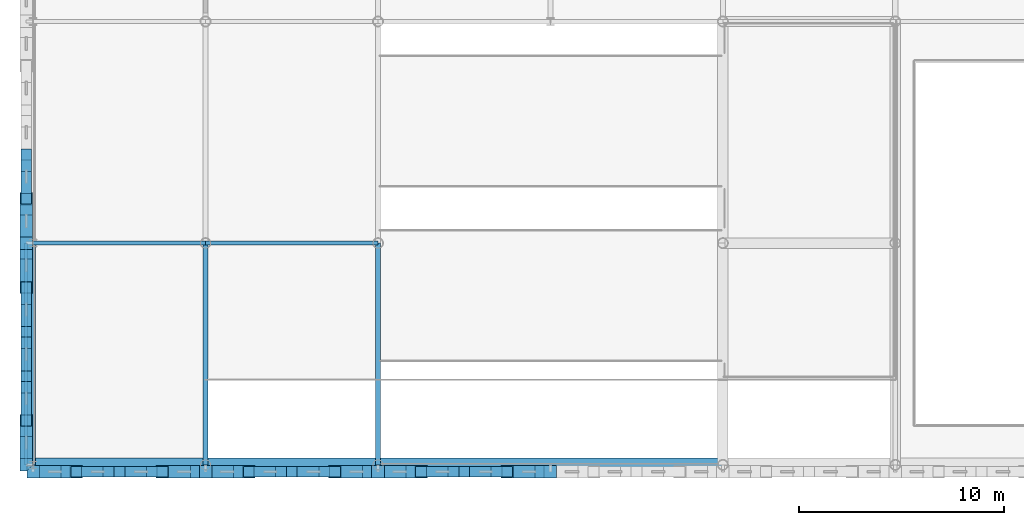
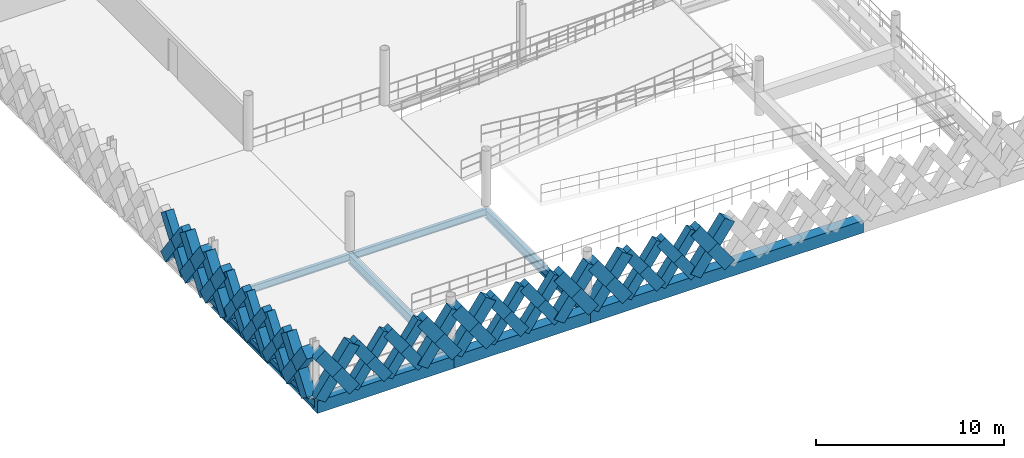
# One storey, part 17 of 74: 58 members, 8 beams.
"""IFC4 building model written with IfcOpenShell, lengths in metres."""

from ifc_helpers import new_model, si_unit, direction, frame, origin, origin_2d, place, context, subcontext, project, spatial, rectangle, hollow_rectangle, i_section, extrude, material, material_profile, profile_set, type_object, element, save


model = new_model("IFC4")

# Units and contexts
model_context = context("Model", 3, precision=1e-05, world=origin(), true_north=direction((0.0, 1.0)))
body_context = subcontext(model_context, "Body", "Model", "MODEL_VIEW")
ifc_project = project(units=[si_unit("LENGTHUNIT", "METRE"), si_unit("AREAUNIT", "SQUARE_METRE"), si_unit("VOLUMEUNIT", "CUBIC_METRE"), si_unit("PLANEANGLEUNIT", "RADIAN"), si_unit("MASSUNIT", "GRAM", prefix="KILO"), si_unit("THERMODYNAMICTEMPERATUREUNIT", "KELVIN"), si_unit("POWERUNIT", "WATT")], contexts=[model_context])

# Site, building, storey
site_placement = place(None, origin())
site = spatial("IfcSite", under=ifc_project, at=site_placement, CompositionType="ELEMENT")
building_placement = place(site_placement, origin())
building = spatial("IfcBuilding", under=site, at=building_placement, Name="Tembeka Court Mobility Hub", CompositionType="ELEMENT")
storey_placement = place(building_placement, frame((0.0, 0.0, 12.60009765625)))
storey = spatial("IfcBuildingStorey", under=building, at=storey_placement, Name="L03", CompositionType="ELEMENT", Elevation=12.60009765625)

# Beams
ifc_material_1 = material(Name="Steel S355", Category="steel")
ifc_material_profile_1 = material_profile(ifc_material_1, i_section(OverallWidth=0.18994140625, OverallDepth=0.45703125, WebThickness=0.009033203125, FlangeThickness=0.014404296875, FilletRadius=0.01025390625, at=origin_2d()), Name="UKB 457x191x74")
ifc_profile_set_1 = profile_set([ifc_material_profile_1], Name="Steel S355")
beam_type_1 = type_object("IfcBeamType", Name="BM-B01", PredefinedType="BEAM", material=ifc_profile_set_1)
beam_1_placement = place(storey_placement, frame((0.0, 10.800048828125, -0.478515625), z_axis=(1.0, 0.0, 0.0), x_axis=(0.0, 1.0, 0.0)))
element("IfcBeam", 1, at=beam_1_placement, inside=storey, type_object=beam_type_1, Name="Beam B01 (BM-L03-X1696)", PredefinedType="BEAM", context=body_context, shape_type="SweptSolid", body=[
    extrude(i_section(OverallWidth=0.18994140625, OverallDepth=0.45703125, WebThickness=0.009033203125, FlangeThickness=0.014404296875, FilletRadius=0.01025390625, at=origin_2d()), origin(), (0.0, 0.0, 1.0), 8.39990234375),
])
beam_2_placement = place(storey_placement, frame((8.39990234375, 10.800048828125, -0.478515625), z_axis=(1.0, 0.0, 0.0), x_axis=(0.0, 1.0, 0.0)))
element("IfcBeam", 2, at=beam_2_placement, inside=storey, type_object=beam_type_1, Name="Beam B01 (BM-L03-X1697)", PredefinedType="BEAM", context=body_context, shape_type="SweptSolid", body=[
    extrude(i_section(OverallWidth=0.18994140625, OverallDepth=0.45703125, WebThickness=0.009033203125, FlangeThickness=0.014404296875, FilletRadius=0.01025390625, at=origin_2d()), origin(), (0.0, 0.0, 1.0), 8.400146484375),
])
ifc_material_profile_2 = material_profile(ifc_material_1, i_section(OverallWidth=0.22900390625, OverallDepth=0.612060546875, WebThickness=0.011962890625, FlangeThickness=0.01953125, FilletRadius=0.0126953125, at=origin_2d()), Name="UKB 610x229x125")
ifc_profile_set_2 = profile_set([ifc_material_profile_2], Name="Steel S355")
beam_type_2 = type_object("IfcBeamType", Name="BM-G02", PredefinedType="USERDEFINED", material=ifc_profile_set_2)
for number, where, z_axis, x_axis, name in (
    (3, (0.0, 0.0, -0.526123046875), (0.0, 1.0, 0.0), (-1.0, 0.0, 0.0), "Beam G02 (BM-L03-Y1816)"),
    (4, (8.39990234375, 0.0, -0.55615234375), (0.0, 1.0, 0.0), (-1.0, 0.0, 0.0), "Beam G02 (BM-L03-Y1827)"),
    (5, (16.800048828125, 0.0, -0.55615234375), (0.0, 1.0, 0.0), (-1.0, 0.0, 0.0), "Beam G02 (BM-L03-Y1838)"),
):
    element("IfcBeam", number, at=place(storey_placement, frame(where, z_axis=z_axis, x_axis=x_axis)), inside=storey, type_object=beam_type_2, Name=name, ObjectType="GIRDER", PredefinedType="USERDEFINED", context=body_context, shape_type="SweptSolid", body=[
        extrude(i_section(OverallWidth=0.22900390625, OverallDepth=0.612060546875, WebThickness=0.011962890625, FlangeThickness=0.01953125, FilletRadius=0.0126953125, at=origin_2d()), origin(), (0.0, 0.0, 1.0), 10.800048828125),
    ])
ifc_material_2 = material(Name="Precast concrete C45/55", Category="concrete")
ifc_material_profile_3 = material_profile(ifc_material_2, rectangle(XDim=0.64990234375, YDim=0.800048828125, at=origin_2d()), Name="PC-SP 650x800")
ifc_profile_set_3 = profile_set([ifc_material_profile_3], Name="Precast concrete C45/55")
beam_type_3 = type_object("IfcBeamType", Name="BM-SP01", PredefinedType="SPANDREL", material=ifc_profile_set_3)
beam_3_placement = place(storey_placement, frame((0.0, 0.0, -0.6201171875), z_axis=(1.0, 0.0, 0.0), x_axis=(0.0, 1.0, 0.0)))
element("IfcBeam", 6, at=beam_3_placement, inside=storey, type_object=beam_type_3, Name="Beam SP01 (BM-L03-X1682)", PredefinedType="SPANDREL", context=body_context, shape_type="SweptSolid", body=[
    extrude(rectangle(XDim=0.64990234375, YDim=0.800048828125, at=origin_2d()), origin(), (0.0, 0.0, 1.0), 8.39990234375),
])
beam_4_placement = place(storey_placement, frame((8.39990234375, 0.0, -0.6201171875), z_axis=(1.0, 0.0, 0.0), x_axis=(0.0, 1.0, 0.0)))
element("IfcBeam", 7, at=beam_4_placement, inside=storey, type_object=beam_type_3, Name="Beam SP01 (BM-L03-X1683)", PredefinedType="SPANDREL", context=body_context, shape_type="SweptSolid", body=[
    extrude(rectangle(XDim=0.64990234375, YDim=0.800048828125, at=origin_2d()), origin(), (0.0, 0.0, 1.0), 8.400146484375),
])
beam_5_placement = place(storey_placement, frame((16.800048828125, 0.0, -0.6201171875), z_axis=(1.0, 0.0, 0.0), x_axis=(0.0, 1.0, 0.0)))
element("IfcBeam", 8, at=beam_5_placement, inside=storey, type_object=beam_type_3, Name="Beam SP01 (BM-L03-X1684)", PredefinedType="SPANDREL", context=body_context, shape_type="SweptSolid", body=[
    extrude(rectangle(XDim=0.64990234375, YDim=0.800048828125, at=origin_2d()), origin(), (0.0, 0.0, 1.0), 16.800048828125),
])

# Members
ifc_material_profile_4 = material_profile(ifc_material_2, rectangle(XDim=0.5, YDim=0.64990234375, at=origin_2d()), Name="PC-DIAG 500x650")
ifc_profile_set_4 = profile_set([ifc_material_profile_4], Name="Precast concrete C45/55")
member_type_1 = type_object("IfcMemberType", Name="MEM-DL01", PredefinedType="BRACE", material=ifc_profile_set_4)
member_1_placement = place(storey_placement, frame((2.10009765625, -0.340087890625, 0.02001953125), z_axis=(0.58253161945, 0.0, 0.812808041509), x_axis=(0.0, 1.0, 0.0)))
element("IfcMember", 9, at=member_1_placement, inside=storey, type_object=member_type_1, Name="Precast diamond lattice continuous strand DL01 (L03-390A)", PredefinedType="BRACE", context=body_context, shape_type="SweptSolid", body=[
    extrude(rectangle(XDim=0.5, YDim=0.64990234375, at=origin_2d()), origin(), (0.0, 0.0, 1.0), 3.604736328125),
])
member_2_placement = place(storey_placement, frame((4.199951171875, -0.340087890625, 0.02001953125), z_axis=(-0.582608431711, 0.0, 0.812752985414), x_axis=(0.0, -1.0, 0.0)))
element("IfcMember", 10, at=member_2_placement, inside=storey, type_object=member_type_1, Name="Precast diamond lattice split lower strand DL01 (L03-390B1)", PredefinedType="BRACE", context=body_context, shape_type="SweptSolid", body=[
    extrude(rectangle(XDim=0.5, YDim=0.64990234375, at=origin_2d()), origin(), (0.0, 0.0, 1.0), 1.80224609375),
])
member_3_placement = place(storey_placement, frame((3.14990234375, -0.340087890625, 1.48486328125), z_axis=(-0.582454804382, 0.0, 0.812863088627), x_axis=(0.0, -1.0, 0.0)))
element("IfcMember", 11, at=member_3_placement, inside=storey, type_object=member_type_1, Name="Precast diamond lattice split upper strand DL01 (L03-390B2)", PredefinedType="BRACE", context=body_context, shape_type="SweptSolid", body=[
    extrude(rectangle(XDim=0.5, YDim=0.64990234375, at=origin_2d()), origin(), (0.0, 0.0, 1.0), 1.802490234375),
])
member_4_placement = place(storey_placement, frame((4.199951171875, -0.340087890625, 0.02001953125), z_axis=(0.582576362011, 0.0, 0.812775973086), x_axis=(0.0, 1.0, 0.0)))
element("IfcMember", 12, at=member_4_placement, inside=storey, type_object=member_type_1, Name="Precast diamond lattice continuous strand DL01 (L03-391A)", PredefinedType="BRACE", context=body_context, shape_type="SweptSolid", body=[
    extrude(rectangle(XDim=0.5, YDim=0.64990234375, at=origin_2d()), origin(), (0.0, 0.0, 1.0), 3.604736328125),
])
member_5_placement = place(storey_placement, frame((6.300048828125, -0.340087890625, 0.02001953125), z_axis=(-0.582608431711, 0.0, 0.812752985414), x_axis=(0.0, -1.0, 0.0)))
element("IfcMember", 13, at=member_5_placement, inside=storey, type_object=member_type_1, Name="Precast diamond lattice split lower strand DL01 (L03-391B1)", PredefinedType="BRACE", context=body_context, shape_type="SweptSolid", body=[
    extrude(rectangle(XDim=0.5, YDim=0.64990234375, at=origin_2d()), origin(), (0.0, 0.0, 1.0), 1.80224609375),
])
member_6_placement = place(storey_placement, frame((5.25, -0.340087890625, 1.48486328125), z_axis=(-0.582544294934, 0.0, 0.812798956963), x_axis=(0.0, -1.0, 0.0)))
element("IfcMember", 14, at=member_6_placement, inside=storey, type_object=member_type_1, Name="Precast diamond lattice split upper strand DL01 (L03-391B2)", PredefinedType="BRACE", context=body_context, shape_type="SweptSolid", body=[
    extrude(rectangle(XDim=0.5, YDim=0.64990234375, at=origin_2d()), origin(), (0.0, 0.0, 1.0), 1.802490234375),
])
member_7_placement = place(storey_placement, frame((10.5, -0.340087890625, 0.02001953125), z_axis=(0.582576362011, 0.0, 0.812775973086), x_axis=(0.0, 1.0, 0.0)))
element("IfcMember", 15, at=member_7_placement, inside=storey, type_object=member_type_1, Name="Precast diamond lattice continuous strand DL01 (L03-394A)", PredefinedType="BRACE", context=body_context, shape_type="SweptSolid", body=[
    extrude(rectangle(XDim=0.5, YDim=0.64990234375, at=origin_2d()), origin(), (0.0, 0.0, 1.0), 3.604736328125),
])
member_8_placement = place(storey_placement, frame((12.60009765625, -0.340087890625, 0.02001953125), z_axis=(-0.582608431711, 0.0, 0.812752985414), x_axis=(0.0, -1.0, 0.0)))
element("IfcMember", 16, at=member_8_placement, inside=storey, type_object=member_type_1, Name="Precast diamond lattice split lower strand DL01 (L03-394B1)", PredefinedType="BRACE", context=body_context, shape_type="SweptSolid", body=[
    extrude(rectangle(XDim=0.5, YDim=0.64990234375, at=origin_2d()), origin(), (0.0, 0.0, 1.0), 1.80224609375),
])
member_9_placement = place(storey_placement, frame((11.550048828125, -0.340087890625, 1.48486328125), z_axis=(-0.582544294934, 0.0, 0.812798956963), x_axis=(0.0, -1.0, 0.0)))
element("IfcMember", 17, at=member_9_placement, inside=storey, type_object=member_type_1, Name="Precast diamond lattice split upper strand DL01 (L03-394B2)", PredefinedType="BRACE", context=body_context, shape_type="SweptSolid", body=[
    extrude(rectangle(XDim=0.5, YDim=0.64990234375, at=origin_2d()), origin(), (0.0, 0.0, 1.0), 1.802490234375),
])
member_10_placement = place(storey_placement, frame((12.60009765625, -0.340087890625, 0.02001953125), z_axis=(0.58253161945, 0.0, 0.812808041509), x_axis=(0.0, 1.0, 0.0)))
element("IfcMember", 18, at=member_10_placement, inside=storey, type_object=member_type_1, Name="Precast diamond lattice continuous strand DL01 (L03-395A)", PredefinedType="BRACE", context=body_context, shape_type="SweptSolid", body=[
    extrude(rectangle(XDim=0.5, YDim=0.64990234375, at=origin_2d()), origin(), (0.0, 0.0, 1.0), 3.604736328125),
])
member_11_placement = place(storey_placement, frame((14.699951171875, -0.340087890625, 0.02001953125), z_axis=(-0.582608431711, 0.0, 0.812752985414), x_axis=(0.0, -1.0, 0.0)))
element("IfcMember", 19, at=member_11_placement, inside=storey, type_object=member_type_1, Name="Precast diamond lattice split lower strand DL01 (L03-395B1)", PredefinedType="BRACE", context=body_context, shape_type="SweptSolid", body=[
    extrude(rectangle(XDim=0.5, YDim=0.64990234375, at=origin_2d()), origin(), (0.0, 0.0, 1.0), 1.80224609375),
])
member_12_placement = place(storey_placement, frame((13.64990234375, -0.340087890625, 1.48486328125), z_axis=(-0.582454804382, 0.0, 0.812863088627), x_axis=(0.0, -1.0, 0.0)))
element("IfcMember", 20, at=member_12_placement, inside=storey, type_object=member_type_1, Name="Precast diamond lattice split upper strand DL01 (L03-395B2)", PredefinedType="BRACE", context=body_context, shape_type="SweptSolid", body=[
    extrude(rectangle(XDim=0.5, YDim=0.64990234375, at=origin_2d()), origin(), (0.0, 0.0, 1.0), 1.802490234375),
])
member_13_placement = place(storey_placement, frame((18.89990234375, -0.340087890625, 0.02001953125), z_axis=(0.582576362011, 0.0, 0.812775973086), x_axis=(0.0, 1.0, 0.0)))
element("IfcMember", 21, at=member_13_placement, inside=storey, type_object=member_type_1, Name="Precast diamond lattice continuous strand DL01 (L03-398A)", PredefinedType="BRACE", context=body_context, shape_type="SweptSolid", body=[
    extrude(rectangle(XDim=0.5, YDim=0.64990234375, at=origin_2d()), origin(), (0.0, 0.0, 1.0), 3.604736328125),
])
member_14_placement = place(storey_placement, frame((21.0, -0.340087890625, 0.02001953125), z_axis=(-0.582608431711, 0.0, 0.812752985414), x_axis=(0.0, -1.0, 0.0)))
element("IfcMember", 22, at=member_14_placement, inside=storey, type_object=member_type_1, Name="Precast diamond lattice split lower strand DL01 (L03-398B1)", PredefinedType="BRACE", context=body_context, shape_type="SweptSolid", body=[
    extrude(rectangle(XDim=0.5, YDim=0.64990234375, at=origin_2d()), origin(), (0.0, 0.0, 1.0), 1.80224609375),
])
member_15_placement = place(storey_placement, frame((19.949951171875, -0.340087890625, 1.48486328125), z_axis=(-0.582544294934, 0.0, 0.812798956963), x_axis=(0.0, -1.0, 0.0)))
element("IfcMember", 23, at=member_15_placement, inside=storey, type_object=member_type_1, Name="Precast diamond lattice split upper strand DL01 (L03-398B2)", PredefinedType="BRACE", context=body_context, shape_type="SweptSolid", body=[
    extrude(rectangle(XDim=0.5, YDim=0.64990234375, at=origin_2d()), origin(), (0.0, 0.0, 1.0), 1.802490234375),
])
member_16_placement = place(storey_placement, frame((21.0, -0.340087890625, 0.02001953125), z_axis=(0.582576362011, 0.0, 0.812775973086), x_axis=(0.0, 1.0, 0.0)))
element("IfcMember", 24, at=member_16_placement, inside=storey, type_object=member_type_1, Name="Precast diamond lattice continuous strand DL01 (L03-399A)", PredefinedType="BRACE", context=body_context, shape_type="SweptSolid", body=[
    extrude(rectangle(XDim=0.5, YDim=0.64990234375, at=origin_2d()), origin(), (0.0, 0.0, 1.0), 3.604736328125),
])
member_17_placement = place(storey_placement, frame((23.10009765625, -0.340087890625, 0.02001953125), z_axis=(-0.582608431711, 0.0, 0.812752985414), x_axis=(0.0, -1.0, 0.0)))
element("IfcMember", 25, at=member_17_placement, inside=storey, type_object=member_type_1, Name="Precast diamond lattice split lower strand DL01 (L03-399B1)", PredefinedType="BRACE", context=body_context, shape_type="SweptSolid", body=[
    extrude(rectangle(XDim=0.5, YDim=0.64990234375, at=origin_2d()), origin(), (0.0, 0.0, 1.0), 1.80224609375),
])
member_18_placement = place(storey_placement, frame((22.050048828125, -0.340087890625, 1.48486328125), z_axis=(-0.582544294934, 0.0, 0.812798956963), x_axis=(0.0, -1.0, 0.0)))
element("IfcMember", 26, at=member_18_placement, inside=storey, type_object=member_type_1, Name="Precast diamond lattice split upper strand DL01 (L03-399B2)", PredefinedType="BRACE", context=body_context, shape_type="SweptSolid", body=[
    extrude(rectangle(XDim=0.5, YDim=0.64990234375, at=origin_2d()), origin(), (0.0, 0.0, 1.0), 1.802490234375),
])
member_19_placement = place(storey_placement, frame((-0.340087890625, 2.159912109375, 0.02001953125), z_axis=(0.0, 0.593423219328, 0.804890602978), x_axis=(-1.0, 0.0, 0.0)))
element("IfcMember", 27, at=member_19_placement, inside=storey, type_object=member_type_1, Name="Precast diamond lattice continuous strand DL01 (L03-478C)", PredefinedType="BRACE", context=body_context, shape_type="SweptSolid", body=[
    extrude(rectangle(XDim=0.5, YDim=0.64990234375, at=origin_2d()), origin(), (0.0, 0.0, 1.0), 3.64013671875),
])
for number, where, z_axis, x_axis, name in (
    (28, (-0.340087890625, 4.320068359375, 0.02001953125), (0.0, -0.593455255298, 0.804866982773), (1.0, 0.0, 0.0), "Precast diamond lattice split lower strand DL01 (L03-478D1)"),
    (29, (-0.340087890625, 3.239990234375, 1.48486328125), (0.0, -0.593391185876, 0.804914219358), (1.0, 0.0, 0.0), "Precast diamond lattice split upper strand DL01 (L03-478D2)"),
):
    element("IfcMember", number, at=place(storey_placement, frame(where, z_axis=z_axis, x_axis=x_axis)), inside=storey, type_object=member_type_1, Name=name, PredefinedType="BRACE", context=body_context, shape_type="SweptSolid", body=[
        extrude(rectangle(XDim=0.5, YDim=0.64990234375, at=origin_2d()), origin(), (0.0, 0.0, 1.0), 1.820068359375),
    ])
member_20_placement = place(storey_placement, frame((-0.340087890625, 4.320068359375, 0.02001953125), z_axis=(0.0, 0.593379766398, 0.804922637792), x_axis=(-1.0, 0.0, 0.0)))
element("IfcMember", 30, at=member_20_placement, inside=storey, type_object=member_type_1, Name="Precast diamond lattice continuous strand DL01 (L03-479C)", PredefinedType="BRACE", context=body_context, shape_type="SweptSolid", body=[
    extrude(rectangle(XDim=0.5, YDim=0.64990234375, at=origin_2d()), origin(), (0.0, 0.0, 1.0), 3.64013671875),
])
for number, where, z_axis, x_axis, name in (
    (31, (-0.340087890625, 6.47998046875, 0.02001953125), (0.0, -0.593455255298, 0.804866982773), (1.0, 0.0, 0.0), "Precast diamond lattice split lower strand DL01 (L03-479D1)"),
    (32, (-0.340087890625, 5.39990234375, 1.48486328125), (0.0, -0.593304274421, 0.804978284151), (1.0, 0.0, 0.0), "Precast diamond lattice split upper strand DL01 (L03-479D2)"),
):
    element("IfcMember", number, at=place(storey_placement, frame(where, z_axis=z_axis, x_axis=x_axis)), inside=storey, type_object=member_type_1, Name=name, PredefinedType="BRACE", context=body_context, shape_type="SweptSolid", body=[
        extrude(rectangle(XDim=0.5, YDim=0.64990234375, at=origin_2d()), origin(), (0.0, 0.0, 1.0), 1.820068359375),
    ])
member_21_placement = place(storey_placement, frame((-0.340087890625, 6.47998046875, 0.02001953125), z_axis=(0.0, 0.593379766398, 0.804922637792), x_axis=(-1.0, 0.0, 0.0)))
element("IfcMember", 33, at=member_21_placement, inside=storey, type_object=member_type_1, Name="Precast diamond lattice continuous strand DL01 (L03-480C)", PredefinedType="BRACE", context=body_context, shape_type="SweptSolid", body=[
    extrude(rectangle(XDim=0.5, YDim=0.64990234375, at=origin_2d()), origin(), (0.0, 0.0, 1.0), 3.64013671875),
])
member_22_placement = place(storey_placement, frame((-0.340087890625, 8.639892578125, 0.02001953125), z_axis=(0.0, -0.593368344659, 0.804931057642), x_axis=(1.0, 0.0, 0.0)))
element("IfcMember", 34, at=member_22_placement, inside=storey, type_object=member_type_1, Name="Precast diamond lattice split lower strand DL01 (L03-480D1)", PredefinedType="BRACE", context=body_context, shape_type="SweptSolid", body=[
    extrude(rectangle(XDim=0.5, YDim=0.64990234375, at=origin_2d()), origin(), (0.0, 0.0, 1.0), 1.81982421875),
])
member_23_placement = place(storey_placement, frame((-0.340087890625, 7.56005859375, 1.48486328125), z_axis=(0.0, -0.593391185876, 0.804914219358), x_axis=(1.0, 0.0, 0.0)))
element("IfcMember", 35, at=member_23_placement, inside=storey, type_object=member_type_1, Name="Precast diamond lattice split upper strand DL01 (L03-480D2)", PredefinedType="BRACE", context=body_context, shape_type="SweptSolid", body=[
    extrude(rectangle(XDim=0.5, YDim=0.64990234375, at=origin_2d()), origin(), (0.0, 0.0, 1.0), 1.820068359375),
])
member_24_placement = place(storey_placement, frame((-0.340087890625, 12.9599609375, 0.02001953125), z_axis=(0.0, 0.593423219328, 0.804890602978), x_axis=(-1.0, 0.0, 0.0)))
element("IfcMember", 36, at=member_24_placement, inside=storey, type_object=member_type_1, Name="Precast diamond lattice continuous strand DL01 (L03-483C)", PredefinedType="BRACE", context=body_context, shape_type="SweptSolid", body=[
    extrude(rectangle(XDim=0.5, YDim=0.64990234375, at=origin_2d()), origin(), (0.0, 0.0, 1.0), 3.64013671875),
])
for number, where, z_axis, x_axis, name in (
    (37, (-0.340087890625, 15.1201171875, 0.02001953125), (0.0, -0.593455255298, 0.804866982773), (1.0, 0.0, 0.0), "Precast diamond lattice split lower strand DL01 (L03-483D1)"),
    (38, (-0.340087890625, 14.0400390625, 1.48486328125), (0.0, -0.593391185876, 0.804914219358), (1.0, 0.0, 0.0), "Precast diamond lattice split upper strand DL01 (L03-483D2)"),
):
    element("IfcMember", number, at=place(storey_placement, frame(where, z_axis=z_axis, x_axis=x_axis)), inside=storey, type_object=member_type_1, Name=name, PredefinedType="BRACE", context=body_context, shape_type="SweptSolid", body=[
        extrude(rectangle(XDim=0.5, YDim=0.64990234375, at=origin_2d()), origin(), (0.0, 0.0, 1.0), 1.820068359375),
    ])
ifc_material_profile_5 = material_profile(ifc_material_2, rectangle(XDim=0.60009765625, YDim=0.75, at=origin_2d()), Name="PC-DIAG 600x750")
ifc_profile_set_5 = profile_set([ifc_material_profile_5], Name="Precast concrete C45/55")
member_type_2 = type_object("IfcMemberType", Name="MEM-DL02", PredefinedType="BRACE", material=ifc_profile_set_5)
member_25_placement = place(storey_placement, frame((0.0, -0.340087890625, 0.02001953125), z_axis=(0.582576362011, 0.0, 0.812775973086), x_axis=(0.0, 1.0, 0.0)))
element("IfcMember", 39, at=member_25_placement, inside=storey, type_object=member_type_2, Name="Precast diamond lattice continuous strand DL02 (L03-389A)", PredefinedType="BRACE", context=body_context, shape_type="SweptSolid", body=[
    extrude(rectangle(XDim=0.60009765625, YDim=0.75, at=origin_2d()), origin(), (0.0, 0.0, 1.0), 3.604736328125),
])
member_26_placement = place(storey_placement, frame((2.10009765625, -0.340087890625, 0.02001953125), z_axis=(-0.582608431711, 0.0, 0.812752985414), x_axis=(0.0, -1.0, 0.0)))
element("IfcMember", 40, at=member_26_placement, inside=storey, type_object=member_type_2, Name="Precast diamond lattice split lower strand DL02 (L03-389B1)", PredefinedType="BRACE", context=body_context, shape_type="SweptSolid", body=[
    extrude(rectangle(XDim=0.60009765625, YDim=0.75, at=origin_2d()), origin(), (0.0, 0.0, 1.0), 1.80224609375),
])
member_27_placement = place(storey_placement, frame((1.050048828125, -0.340087890625, 1.48486328125), z_axis=(-0.582544294934, 0.0, 0.812798956963), x_axis=(0.0, -1.0, 0.0)))
element("IfcMember", 41, at=member_27_placement, inside=storey, type_object=member_type_2, Name="Precast diamond lattice split upper strand DL02 (L03-389B2)", PredefinedType="BRACE", context=body_context, shape_type="SweptSolid", body=[
    extrude(rectangle(XDim=0.60009765625, YDim=0.75, at=origin_2d()), origin(), (0.0, 0.0, 1.0), 1.802490234375),
])
member_28_placement = place(storey_placement, frame((6.300048828125, -0.340087890625, 0.02001953125), z_axis=(0.58253161945, 0.0, 0.812808041509), x_axis=(0.0, 1.0, 0.0)))
element("IfcMember", 42, at=member_28_placement, inside=storey, type_object=member_type_2, Name="Precast diamond lattice continuous strand DL02 (L03-392A)", PredefinedType="BRACE", context=body_context, shape_type="SweptSolid", body=[
    extrude(rectangle(XDim=0.60009765625, YDim=0.75, at=origin_2d()), origin(), (0.0, 0.0, 1.0), 3.604736328125),
])
member_29_placement = place(storey_placement, frame((8.39990234375, -0.340087890625, 0.02001953125), z_axis=(-0.582518941428, 0.0, 0.812817127574), x_axis=(0.0, -1.0, 0.0)))
element("IfcMember", 43, at=member_29_placement, inside=storey, type_object=member_type_2, Name="Precast diamond lattice split lower strand DL02 (L03-392B1)", PredefinedType="BRACE", context=body_context, shape_type="SweptSolid", body=[
    extrude(rectangle(XDim=0.60009765625, YDim=0.75, at=origin_2d()), origin(), (0.0, 0.0, 1.0), 1.80224609375),
])
member_30_placement = place(storey_placement, frame((7.35009765625, -0.340087890625, 1.48486328125), z_axis=(-0.582544294934, 0.0, 0.812798956963), x_axis=(0.0, -1.0, 0.0)))
element("IfcMember", 44, at=member_30_placement, inside=storey, type_object=member_type_2, Name="Precast diamond lattice split upper strand DL02 (L03-392B2)", PredefinedType="BRACE", context=body_context, shape_type="SweptSolid", body=[
    extrude(rectangle(XDim=0.60009765625, YDim=0.75, at=origin_2d()), origin(), (0.0, 0.0, 1.0), 1.802490234375),
])
member_31_placement = place(storey_placement, frame((8.39990234375, -0.340087890625, 0.02001953125), z_axis=(0.582576362011, 0.0, 0.812775973086), x_axis=(0.0, 1.0, 0.0)))
element("IfcMember", 45, at=member_31_placement, inside=storey, type_object=member_type_2, Name="Precast diamond lattice continuous strand DL02 (L03-393A)", PredefinedType="BRACE", context=body_context, shape_type="SweptSolid", body=[
    extrude(rectangle(XDim=0.60009765625, YDim=0.75, at=origin_2d()), origin(), (0.0, 0.0, 1.0), 3.604736328125),
])
member_32_placement = place(storey_placement, frame((10.5, -0.340087890625, 0.02001953125), z_axis=(-0.582608431711, 0.0, 0.812752985414), x_axis=(0.0, -1.0, 0.0)))
element("IfcMember", 46, at=member_32_placement, inside=storey, type_object=member_type_2, Name="Precast diamond lattice split lower strand DL02 (L03-393B1)", PredefinedType="BRACE", context=body_context, shape_type="SweptSolid", body=[
    extrude(rectangle(XDim=0.60009765625, YDim=0.75, at=origin_2d()), origin(), (0.0, 0.0, 1.0), 1.80224609375),
])
member_33_placement = place(storey_placement, frame((9.449951171875, -0.340087890625, 1.48486328125), z_axis=(-0.582544294934, 0.0, 0.812798956963), x_axis=(0.0, -1.0, 0.0)))
element("IfcMember", 47, at=member_33_placement, inside=storey, type_object=member_type_2, Name="Precast diamond lattice split upper strand DL02 (L03-393B2)", PredefinedType="BRACE", context=body_context, shape_type="SweptSolid", body=[
    extrude(rectangle(XDim=0.60009765625, YDim=0.75, at=origin_2d()), origin(), (0.0, 0.0, 1.0), 1.802490234375),
])
member_34_placement = place(storey_placement, frame((14.699951171875, -0.340087890625, 0.02001953125), z_axis=(0.582576362011, 0.0, 0.812775973086), x_axis=(0.0, 1.0, 0.0)))
element("IfcMember", 48, at=member_34_placement, inside=storey, type_object=member_type_2, Name="Precast diamond lattice continuous strand DL02 (L03-396A)", PredefinedType="BRACE", context=body_context, shape_type="SweptSolid", body=[
    extrude(rectangle(XDim=0.60009765625, YDim=0.75, at=origin_2d()), origin(), (0.0, 0.0, 1.0), 3.604736328125),
])
member_35_placement = place(storey_placement, frame((16.800048828125, -0.340087890625, 0.02001953125), z_axis=(-0.582608431711, 0.0, 0.812752985414), x_axis=(0.0, -1.0, 0.0)))
element("IfcMember", 49, at=member_35_placement, inside=storey, type_object=member_type_2, Name="Precast diamond lattice split lower strand DL02 (L03-396B1)", PredefinedType="BRACE", context=body_context, shape_type="SweptSolid", body=[
    extrude(rectangle(XDim=0.60009765625, YDim=0.75, at=origin_2d()), origin(), (0.0, 0.0, 1.0), 1.80224609375),
])
member_36_placement = place(storey_placement, frame((15.75, -0.340087890625, 1.48486328125), z_axis=(-0.582544294934, 0.0, 0.812798956963), x_axis=(0.0, -1.0, 0.0)))
element("IfcMember", 50, at=member_36_placement, inside=storey, type_object=member_type_2, Name="Precast diamond lattice split upper strand DL02 (L03-396B2)", PredefinedType="BRACE", context=body_context, shape_type="SweptSolid", body=[
    extrude(rectangle(XDim=0.60009765625, YDim=0.75, at=origin_2d()), origin(), (0.0, 0.0, 1.0), 1.802490234375),
])
member_37_placement = place(storey_placement, frame((16.800048828125, -0.340087890625, 0.02001953125), z_axis=(0.58253161945, 0.0, 0.812808041509), x_axis=(0.0, 1.0, 0.0)))
element("IfcMember", 51, at=member_37_placement, inside=storey, type_object=member_type_2, Name="Precast diamond lattice continuous strand DL02 (L03-397A)", PredefinedType="BRACE", context=body_context, shape_type="SweptSolid", body=[
    extrude(rectangle(XDim=0.60009765625, YDim=0.75, at=origin_2d()), origin(), (0.0, 0.0, 1.0), 3.604736328125),
])
member_38_placement = place(storey_placement, frame((18.89990234375, -0.340087890625, 0.02001953125), z_axis=(-0.582518941428, 0.0, 0.812817127574), x_axis=(0.0, -1.0, 0.0)))
element("IfcMember", 52, at=member_38_placement, inside=storey, type_object=member_type_2, Name="Precast diamond lattice split lower strand DL02 (L03-397B1)", PredefinedType="BRACE", context=body_context, shape_type="SweptSolid", body=[
    extrude(rectangle(XDim=0.60009765625, YDim=0.75, at=origin_2d()), origin(), (0.0, 0.0, 1.0), 1.80224609375),
])
member_39_placement = place(storey_placement, frame((17.85009765625, -0.340087890625, 1.48486328125), z_axis=(-0.582544294934, 0.0, 0.812798956963), x_axis=(0.0, -1.0, 0.0)))
element("IfcMember", 53, at=member_39_placement, inside=storey, type_object=member_type_2, Name="Precast diamond lattice split upper strand DL02 (L03-397B2)", PredefinedType="BRACE", context=body_context, shape_type="SweptSolid", body=[
    extrude(rectangle(XDim=0.60009765625, YDim=0.75, at=origin_2d()), origin(), (0.0, 0.0, 1.0), 1.802490234375),
])
member_40_placement = place(storey_placement, frame((23.10009765625, -0.340087890625, 0.02001953125), z_axis=(0.58253161945, 0.0, 0.812808041509), x_axis=(0.0, 1.0, 0.0)))
element("IfcMember", 54, at=member_40_placement, inside=storey, type_object=member_type_2, Name="Precast diamond lattice continuous strand DL02 (L03-400A)", PredefinedType="BRACE", context=body_context, shape_type="SweptSolid", body=[
    extrude(rectangle(XDim=0.60009765625, YDim=0.75, at=origin_2d()), origin(), (0.0, 0.0, 1.0), 3.604736328125),
])
member_41_placement = place(storey_placement, frame((25.199951171875, -0.340087890625, 0.02001953125), z_axis=(-0.582608431711, 0.0, 0.812752985414), x_axis=(0.0, -1.0, 0.0)))
element("IfcMember", 55, at=member_41_placement, inside=storey, type_object=member_type_2, Name="Precast diamond lattice split lower strand DL02 (L03-400B1)", PredefinedType="BRACE", context=body_context, shape_type="SweptSolid", body=[
    extrude(rectangle(XDim=0.60009765625, YDim=0.75, at=origin_2d()), origin(), (0.0, 0.0, 1.0), 1.80224609375),
])
member_42_placement = place(storey_placement, frame((24.14990234375, -0.340087890625, 1.48486328125), z_axis=(-0.582454804382, 0.0, 0.812863088627), x_axis=(0.0, -1.0, 0.0)))
element("IfcMember", 56, at=member_42_placement, inside=storey, type_object=member_type_2, Name="Precast diamond lattice split upper strand DL02 (L03-400B2)", PredefinedType="BRACE", context=body_context, shape_type="SweptSolid", body=[
    extrude(rectangle(XDim=0.60009765625, YDim=0.75, at=origin_2d()), origin(), (0.0, 0.0, 1.0), 1.802490234375),
])
member_43_placement = place(storey_placement, frame((-0.340087890625, 0.0, 0.02001953125), z_axis=(0.0, 0.593379766398, 0.804922637792), x_axis=(-1.0, 0.0, 0.0)))
element("IfcMember", 57, at=member_43_placement, inside=storey, type_object=member_type_2, Name="Precast diamond lattice continuous strand DL02 (L03-477C)", PredefinedType="BRACE", context=body_context, shape_type="SweptSolid", body=[
    extrude(rectangle(XDim=0.60009765625, YDim=0.75, at=origin_2d()), origin(), (0.0, 0.0, 1.0), 3.64013671875),
])
member_44_placement = place(storey_placement, frame((-0.340087890625, 2.159912109375, 0.02001953125), z_axis=(0.0, -0.593368344659, 0.804931057642), x_axis=(1.0, 0.0, 0.0)))
element("IfcMember", 58, at=member_44_placement, inside=storey, type_object=member_type_2, Name="Precast diamond lattice split lower strand DL02 (L03-477D1)", PredefinedType="BRACE", context=body_context, shape_type="SweptSolid", body=[
    extrude(rectangle(XDim=0.60009765625, YDim=0.75, at=origin_2d()), origin(), (0.0, 0.0, 1.0), 1.81982421875),
])
member_45_placement = place(storey_placement, frame((-0.340087890625, 1.080078125, 1.48486328125), z_axis=(0.0, -0.593391185876, 0.804914219358), x_axis=(1.0, 0.0, 0.0)))
element("IfcMember", 59, at=member_45_placement, inside=storey, type_object=member_type_2, Name="Precast diamond lattice split upper strand DL02 (L03-477D2)", PredefinedType="BRACE", context=body_context, shape_type="SweptSolid", body=[
    extrude(rectangle(XDim=0.60009765625, YDim=0.75, at=origin_2d()), origin(), (0.0, 0.0, 1.0), 1.820068359375),
])
member_46_placement = place(storey_placement, frame((-0.340087890625, 8.639892578125, 0.02001953125), z_axis=(0.0, 0.593423219328, 0.804890602978), x_axis=(-1.0, 0.0, 0.0)))
element("IfcMember", 60, at=member_46_placement, inside=storey, type_object=member_type_2, Name="Precast diamond lattice continuous strand DL02 (L03-481C)", PredefinedType="BRACE", context=body_context, shape_type="SweptSolid", body=[
    extrude(rectangle(XDim=0.60009765625, YDim=0.75, at=origin_2d()), origin(), (0.0, 0.0, 1.0), 3.64013671875),
])
for number, where, z_axis, x_axis, name in (
    (61, (-0.340087890625, 10.800048828125, 0.02001953125), (0.0, -0.593455255298, 0.804866982773), (1.0, 0.0, 0.0), "Precast diamond lattice split lower strand DL02 (L03-481D1)"),
    (62, (-0.340087890625, 9.719970703125, 1.48486328125), (0.0, -0.593391185876, 0.804914219358), (1.0, 0.0, 0.0), "Precast diamond lattice split upper strand DL02 (L03-481D2)"),
):
    element("IfcMember", number, at=place(storey_placement, frame(where, z_axis=z_axis, x_axis=x_axis)), inside=storey, type_object=member_type_2, Name=name, PredefinedType="BRACE", context=body_context, shape_type="SweptSolid", body=[
        extrude(rectangle(XDim=0.60009765625, YDim=0.75, at=origin_2d()), origin(), (0.0, 0.0, 1.0), 1.820068359375),
    ])
member_47_placement = place(storey_placement, frame((-0.340087890625, 10.800048828125, 0.02001953125), z_axis=(0.0, 0.593379766398, 0.804922637792), x_axis=(-1.0, 0.0, 0.0)))
element("IfcMember", 63, at=member_47_placement, inside=storey, type_object=member_type_2, Name="Precast diamond lattice continuous strand DL02 (L03-482C)", PredefinedType="BRACE", context=body_context, shape_type="SweptSolid", body=[
    extrude(rectangle(XDim=0.60009765625, YDim=0.75, at=origin_2d()), origin(), (0.0, 0.0, 1.0), 3.64013671875),
])
for number, where, z_axis, x_axis, name in (
    (64, (-0.340087890625, 12.9599609375, 0.02001953125), (0.0, -0.593455255298, 0.804866982773), (1.0, 0.0, 0.0), "Precast diamond lattice split lower strand DL02 (L03-482D1)"),
    (65, (-0.340087890625, 11.8798828125, 1.48486328125), (0.0, -0.593304274421, 0.804978284151), (1.0, 0.0, 0.0), "Precast diamond lattice split upper strand DL02 (L03-482D2)"),
):
    element("IfcMember", number, at=place(storey_placement, frame(where, z_axis=z_axis, x_axis=x_axis)), inside=storey, type_object=member_type_2, Name=name, PredefinedType="BRACE", context=body_context, shape_type="SweptSolid", body=[
        extrude(rectangle(XDim=0.60009765625, YDim=0.75, at=origin_2d()), origin(), (0.0, 0.0, 1.0), 1.820068359375),
    ])
ifc_material_profile_6 = material_profile(ifc_material_1, hollow_rectangle(XDim=0.14990234375, YDim=0.300048828125, WallThickness=0.010009765625, at=origin_2d()), Name="RHS 300x150x10")
ifc_profile_set_6 = profile_set([ifc_material_profile_6], Name="Steel S355")
member_type_3 = type_object("IfcMemberType", Name="MEM-ST03", PredefinedType="STRUT", material=ifc_profile_set_6)
member_48_placement = place(storey_placement, frame((-0.340087890625, 0.0, 0.02001953125), z_axis=(0.0, 1.0, 0.0), x_axis=(-1.0, 0.0, 0.0)))
element("IfcMember", 66, at=member_48_placement, inside=storey, type_object=member_type_3, Name="Proud lattice sill tie chord SR03 (L03-W-0)", PredefinedType="STRUT", context=body_context, shape_type="SweptSolid", body=[
    extrude(hollow_rectangle(XDim=0.14990234375, YDim=0.300048828125, WallThickness=0.010009765625, at=origin_2d()), origin(), (0.0, 0.0, 1.0), 10.800048828125),
])

save(model, "model.ifc")
